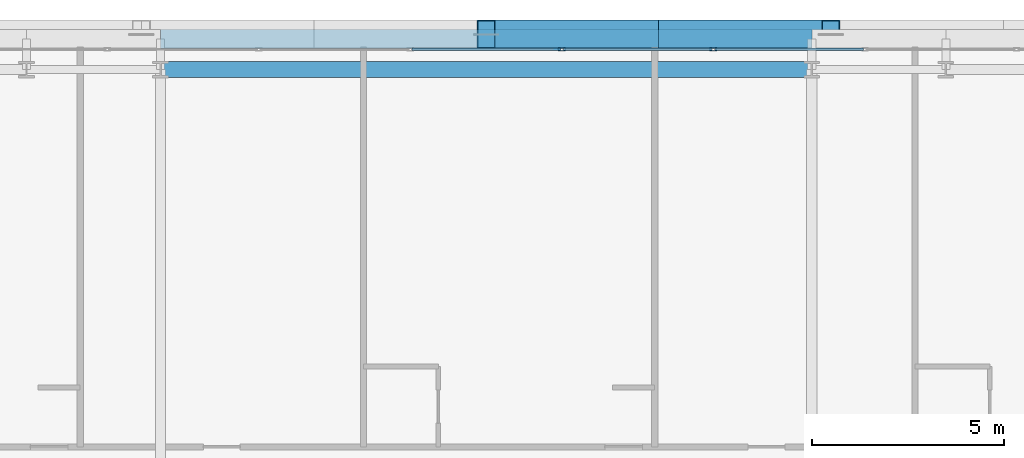
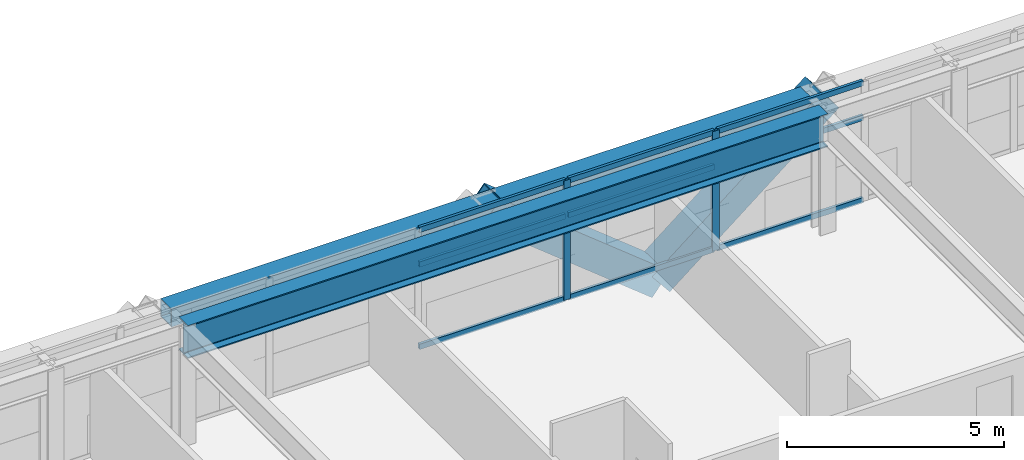
# One storey, part 19 of 34: 13 members, 2 beams, 1 element without a shape of its own.
"""IFC4 building model written with IfcOpenShell, lengths in metres."""

from ifc_helpers import new_model, si_unit, direction, frame, origin, origin_2d, place, context, subcontext, project, spatial, hollow_rectangle, i_section, extrude, source, transform, mapped, material, layer, layer_set, material_profile, profile_set, type_object, element, aggregate, save


model = new_model("IFC4")

# Units and contexts
model_context = context("Model", 3, precision=1e-05, world=origin(), true_north=direction((0.0, 1.0)))
body_context = subcontext(model_context, "Body", "Model", "MODEL_VIEW")
ifc_project = project(units=[si_unit("LENGTHUNIT", "METRE"), si_unit("AREAUNIT", "SQUARE_METRE"), si_unit("VOLUMEUNIT", "CUBIC_METRE"), si_unit("PLANEANGLEUNIT", "RADIAN"), si_unit("MASSUNIT", "GRAM", prefix="KILO")], contexts=[model_context])

# Site, building, storey
site_placement = place(None, origin())
site = spatial("IfcSite", under=ifc_project, at=site_placement, CompositionType="ELEMENT")
building_placement = place(site_placement, origin())
building = spatial("IfcBuilding", under=site, at=building_placement, Name="Ocotamira Hotel", CompositionType="ELEMENT")
storey_placement = place(building_placement, frame((0.0, 0.0, 108.0)))
storey = spatial("IfcBuildingStorey", under=building, at=storey_placement, Name="L26", CompositionType="ELEMENT", Elevation=108.0)

# Beams
ifc_material_1 = material(Name="Steel ASTM A992 Grade 50", Category="steel")
ifc_material_profile_1 = material_profile(ifc_material_1, i_section(OverallWidth=0.41796875, OverallDepth=0.927001953125, WebThickness=0.019287109375, FlangeThickness=0.031982421875, FilletRadius=0.02392578125, at=origin_2d()), Name="W36X231")
ifc_profile_set_1 = profile_set([ifc_material_profile_1], Name="Steel ASTM A992 Grade 50")
beam_type_1 = type_object("IfcBeamType", Name="BM-GIRD-W36X231", PredefinedType="BEAM", material=ifc_profile_set_1)
shared_shape_1 = source(origin(), body_context, "Body", "SweptSolid", [
    extrude(i_section(OverallWidth=0.41796875, OverallDepth=0.927001953125, WebThickness=0.019287109375, FlangeThickness=0.031982421875, FilletRadius=0.02392578125, at=origin_2d()), origin(), (0.0, 0.0, 1.0), 17.0),
])
beam_1_placement = place(storey_placement, frame((23.5, 49.050048828125, 2.896484375), z_axis=(1.0, 0.0, 0.0), x_axis=(0.0, 1.0, 0.0)))
element("IfcBeam", 1, at=beam_1_placement, inside=storey, type_object=beam_type_1, Name="L26 Girder Y49.05 X23.5-40.5", PredefinedType="BEAM", context=body_context, shape_type="MappedRepresentation", body=[
    mapped(shared_shape_1, transform((0.0, 0.0, 0.0), scale=1.0)),
])
ifc_material_2 = material(Name="Steel ASTM A500 Grade C", Category="steel")
ifc_material_profile_2 = material_profile(ifc_material_2, hollow_rectangle(XDim=0.5, YDim=0.5, WallThickness=0.02001953125, at=origin_2d()), Name="HSS500X500X20")
ifc_profile_set_2 = profile_set([ifc_material_profile_2], Name="Steel ASTM A500 Grade C")
beam_type_2 = type_object("IfcBeamType", Name="BM-SPAN-HSS500", PredefinedType="USERDEFINED", material=ifc_profile_set_2)
shared_shape_2 = source(origin(), body_context, "Body", "SweptSolid", [
    extrude(hollow_rectangle(XDim=0.5, YDim=0.5, WallThickness=0.02001953125, at=origin_2d()), origin(), (0.0, 0.0, 1.0), 17.0),
])
beam_2_placement = place(storey_placement, frame((23.5, 49.85009765625, 3.110107421875), z_axis=(1.0, 0.0, 0.0), x_axis=(0.0, 1.0, 0.0)))
element("IfcBeam", 2, at=beam_2_placement, inside=storey, type_object=beam_type_2, Name="L26 Edge Spandrel N X23.5-40.5", ObjectType="SPANDREL", PredefinedType="USERDEFINED", context=body_context, shape_type="MappedRepresentation", body=[
    mapped(shared_shape_2, transform((0.0, 0.0, 0.0), scale=1.0)),
])

# Members
ifc_material_3 = material(Name="Pale-metal coated steel ASTM A913 Grade 65", Category="steel")
ifc_material_profile_3 = material_profile(ifc_material_3, hollow_rectangle(XDim=0.75, YDim=0.75, WallThickness=0.028076171875, at=origin_2d()), Name="BOX750X750X28")
ifc_profile_set_3 = profile_set([ifc_material_profile_3], Name="Pale-metal coated steel ASTM A913 Grade 65")
member_type_1 = type_object("IfcMemberType", Name="MEM-EXO-BOX750", PredefinedType="BRACE", material=ifc_profile_set_3)
shared_shape_3 = source(origin(), body_context, "Body", "SweptSolid", [
    extrude(hollow_rectangle(XDim=0.75, YDim=0.75, WallThickness=0.028076171875, at=origin_2d()), origin(), (0.0, 0.0, 1.0), 5.762939453125),
])
for number, where, z_axis, x_axis, name in (
    (3, (36.5, 49.969970703125, -0.489990234375), (-0.780860543151, 0.0, 0.624705380279), (0.0, -1.0, 0.0), "L26 Exoskeleton Diagrid N2.1"),
    (4, (36.5, 49.969970703125, -0.489990234375), (0.780860543151, 0.0, 0.624705380279), (0.0, 1.0, 0.0), "L26 Exoskeleton Diagrid N2.2"),
):
    element("IfcMember", number, at=place(storey_placement, frame(where, z_axis=z_axis, x_axis=x_axis)), inside=storey, type_object=member_type_1, Name=name, PredefinedType="BRACE", context=body_context, shape_type="MappedRepresentation", body=[
        mapped(shared_shape_3, transform((0.0, 0.0, 0.0), scale=1.0)),
    ])

# Curtain wall, members
ifc_material_4 = material(Name="Anodised pale-metal aluminium and solar glass", Category="aluminium")
ifc_layer = layer(ifc_material_4, 0.179931640625)
ifc_layer_set = layer_set([ifc_layer], Name="Anodised pale-metal aluminium and solar glass")
curtain_wall_type = type_object("IfcCurtainWallType", Name="CW-SYS3-Z2", PredefinedType="NOTDEFINED", material=ifc_layer_set)
curtain_wall_placement = place(storey_placement, origin())
curtain_wall = element("IfcCurtainWall", 5, at=curtain_wall_placement, inside=storey, type_object=curtain_wall_type, Name="L26 Curtain Wall CW-3 CW-L26-N", PredefinedType="NOTDEFINED")
ifc_material_5 = material(Name="Anodised pale-metal aluminium 6063-T6", Category="aluminium")
ifc_material_profile_4 = material_profile(ifc_material_5, hollow_rectangle(XDim=0.074951171875, YDim=0.14990234375, WallThickness=0.006103515625, at=origin_2d()), Name="HSS150X75X6")
ifc_profile_set_4 = profile_set([ifc_material_profile_4], Name="Anodised pale-metal aluminium 6063-T6")
member_type_2 = type_object("IfcMemberType", Name="CWT-150X75", PredefinedType="USERDEFINED", material=ifc_profile_set_4)
shared_shape_4 = source(origin(), body_context, "Body", "SweptSolid", [
    extrude(hollow_rectangle(XDim=0.074951171875, YDim=0.14990234375, WallThickness=0.006103515625, at=origin_2d()), origin(), (0.0, 0.0, 1.0), 3.87548828125),
])
member_1_placement = place(storey_placement, frame((30.062255859375, 49.580078125, 0.03759765625), z_axis=(1.0, 0.0, 0.0), x_axis=(0.0, 1.0, 0.0)))
member_1 = element("IfcMember", 6, at=member_1_placement, type_object=member_type_2, Name="CW-3 transom 5.1", ObjectType="TRANSOM", PredefinedType="USERDEFINED", context=body_context, shape_type="MappedRepresentation", body=[
    mapped(shared_shape_4, transform((0.0, 0.0, 0.0), scale=1.0)),
])
member_2_placement = place(storey_placement, frame((30.062255859375, 49.580078125, 2.35009765625), z_axis=(1.0, 0.0, 0.0), x_axis=(0.0, 1.0, 0.0)))
member_2 = element("IfcMember", 7, at=member_2_placement, type_object=member_type_2, Name="CW-3 transom 5.2", ObjectType="TRANSOM", PredefinedType="USERDEFINED", context=body_context, shape_type="MappedRepresentation", body=[
    mapped(shared_shape_4, transform((0.0, 0.0, 0.0), scale=1.0)),
])
member_3_placement = place(storey_placement, frame((30.062255859375, 49.580078125, 3.322509765625), z_axis=(1.0, 0.0, 0.0), x_axis=(0.0, 1.0, 0.0)))
member_3 = element("IfcMember", 8, at=member_3_placement, type_object=member_type_2, Name="CW-3 transom 5.3", ObjectType="TRANSOM", PredefinedType="USERDEFINED", context=body_context, shape_type="MappedRepresentation", body=[
    mapped(shared_shape_4, transform((0.0, 0.0, 0.0), scale=1.0)),
])
member_4_placement = place(storey_placement, frame((34.017822265625, 49.580078125, 0.03759765625), z_axis=(1.0, 0.0, 0.0), x_axis=(0.0, 1.0, 0.0)))
member_4 = element("IfcMember", 9, at=member_4_placement, type_object=member_type_2, Name="CW-3 transom 6.1", ObjectType="TRANSOM", PredefinedType="USERDEFINED", context=body_context, shape_type="MappedRepresentation", body=[
    mapped(shared_shape_4, transform((0.0, 0.0, 0.0), scale=1.0)),
])
member_5_placement = place(storey_placement, frame((34.017822265625, 49.580078125, 2.35009765625), z_axis=(1.0, 0.0, 0.0), x_axis=(0.0, 1.0, 0.0)))
member_5 = element("IfcMember", 10, at=member_5_placement, type_object=member_type_2, Name="CW-3 transom 6.2", ObjectType="TRANSOM", PredefinedType="USERDEFINED", context=body_context, shape_type="MappedRepresentation", body=[
    mapped(shared_shape_4, transform((0.0, 0.0, 0.0), scale=1.0)),
])
member_6_placement = place(storey_placement, frame((34.017822265625, 49.580078125, 3.322509765625), z_axis=(1.0, 0.0, 0.0), x_axis=(0.0, 1.0, 0.0)))
member_6 = element("IfcMember", 11, at=member_6_placement, type_object=member_type_2, Name="CW-3 transom 6.3", ObjectType="TRANSOM", PredefinedType="USERDEFINED", context=body_context, shape_type="MappedRepresentation", body=[
    mapped(shared_shape_4, transform((0.0, 0.0, 0.0), scale=1.0)),
])
member_7_placement = place(storey_placement, frame((37.973388671875, 49.580078125, 0.03759765625), z_axis=(1.0, 0.0, 0.0), x_axis=(0.0, 1.0, 0.0)))
member_7 = element("IfcMember", 12, at=member_7_placement, type_object=member_type_2, Name="CW-3 transom 7.1", ObjectType="TRANSOM", PredefinedType="USERDEFINED", context=body_context, shape_type="MappedRepresentation", body=[
    mapped(shared_shape_4, transform((0.0, 0.0, 0.0), scale=1.0)),
])
member_8_placement = place(storey_placement, frame((37.973388671875, 49.580078125, 2.35009765625), z_axis=(1.0, 0.0, 0.0), x_axis=(0.0, 1.0, 0.0)))
member_8 = element("IfcMember", 13, at=member_8_placement, type_object=member_type_2, Name="CW-3 transom 7.2", ObjectType="TRANSOM", PredefinedType="USERDEFINED", context=body_context, shape_type="MappedRepresentation", body=[
    mapped(shared_shape_4, transform((0.0, 0.0, 0.0), scale=1.0)),
])
member_9_placement = place(storey_placement, frame((37.973388671875, 49.580078125, 3.322509765625), z_axis=(1.0, 0.0, 0.0), x_axis=(0.0, 1.0, 0.0)))
member_9 = element("IfcMember", 14, at=member_9_placement, type_object=member_type_2, Name="CW-3 transom 7.3", ObjectType="TRANSOM", PredefinedType="USERDEFINED", context=body_context, shape_type="MappedRepresentation", body=[
    mapped(shared_shape_4, transform((0.0, 0.0, 0.0), scale=1.0)),
])
ifc_material_profile_5 = material_profile(ifc_material_5, hollow_rectangle(XDim=0.080078125, YDim=0.179931640625, WallThickness=0.006103515625, at=origin_2d()), Name="HSS180X80X6")
ifc_profile_set_5 = profile_set([ifc_material_profile_5], Name="Anodised pale-metal aluminium 6063-T6")
member_type_3 = type_object("IfcMemberType", Name="CWM-180X75", PredefinedType="MULLION", material=ifc_profile_set_5)
shared_shape_5 = source(origin(), body_context, "Body", "SweptSolid", [
    extrude(hollow_rectangle(XDim=0.080078125, YDim=0.179931640625, WallThickness=0.006103515625, at=origin_2d()), origin(), (0.0, 0.0, 1.0), 3.360107421875),
])
member_10_placement = place(storey_placement, frame((33.977783203125, 49.580078125, 0.0), z_axis=(0.0, 0.0, 1.0), x_axis=(0.0, 1.0, 0.0)))
member_10 = element("IfcMember", 15, at=member_10_placement, type_object=member_type_3, Name="CW-3 mullion 6", PredefinedType="MULLION", context=body_context, shape_type="MappedRepresentation", body=[
    mapped(shared_shape_5, transform((0.0, 0.0, 0.0), scale=1.0)),
])
member_11_placement = place(storey_placement, frame((37.933349609375, 49.580078125, 0.0), z_axis=(0.0, 0.0, 1.0), x_axis=(0.0, 1.0, 0.0)))
member_11 = element("IfcMember", 16, at=member_11_placement, type_object=member_type_3, Name="CW-3 mullion 7", PredefinedType="MULLION", context=body_context, shape_type="MappedRepresentation", body=[
    mapped(shared_shape_5, transform((0.0, 0.0, 0.0), scale=1.0)),
])
aggregate(curtain_wall, [member_10, member_11, member_1, member_2, member_3, member_4, member_5, member_6, member_7, member_8, member_9])

save(model, "model.ifc")
